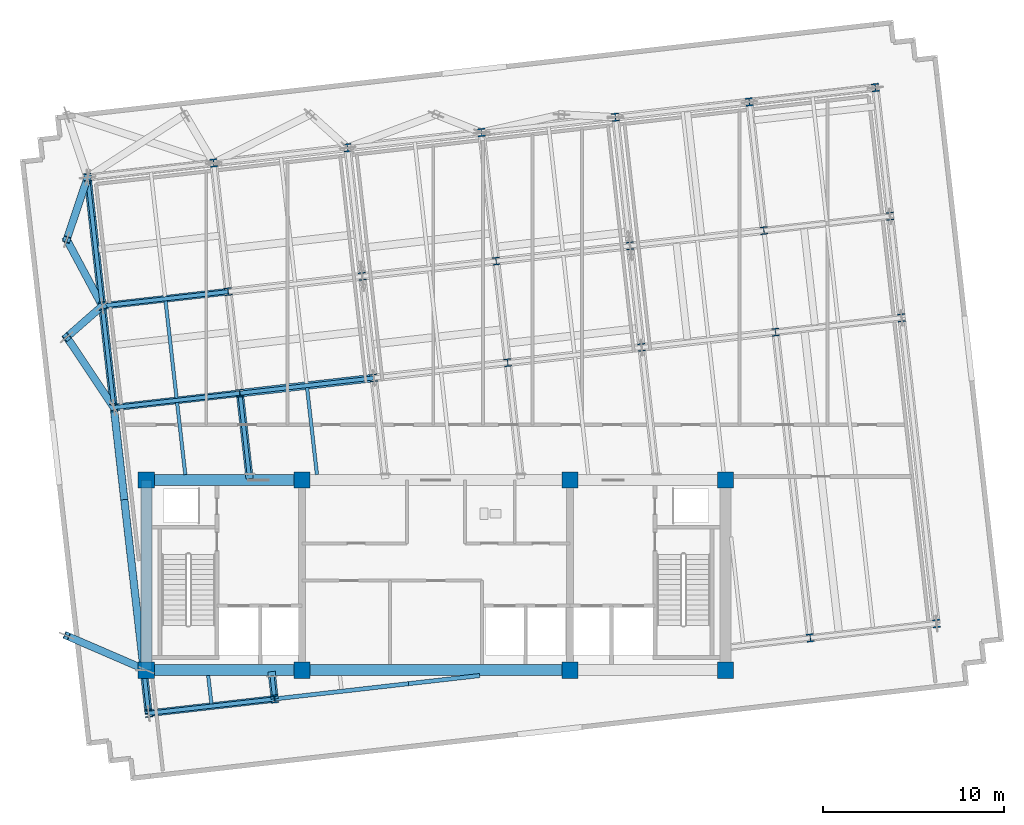
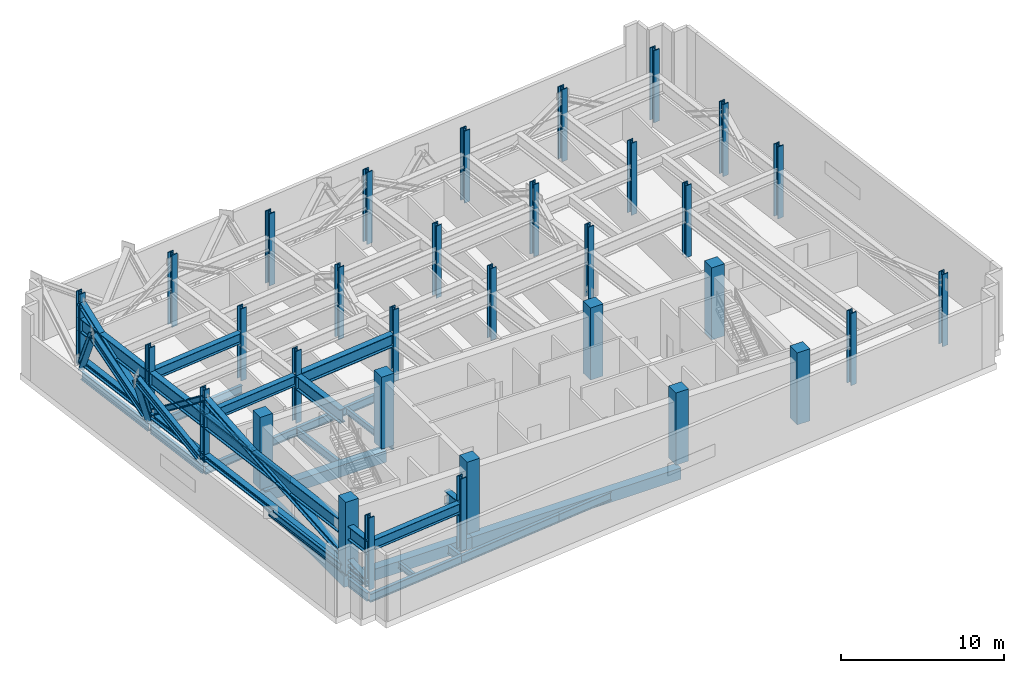
# One storey, part 1 of 10: 33 columns, 28 beams, 11 members.
"""IFC4 building model written with IfcOpenShell, lengths in metres."""

from ifc_helpers import new_model, si_unit, direction, frame, origin, origin_2d, place, context, subcontext, project, spatial, rectangle, i_section, extrude, material, material_profile, profile_set, type_object, element, save


model = new_model("IFC4")

# Units and contexts
model_context = context("Model", 3, precision=1e-05, world=origin(), true_north=direction((0.0, 1.0)))
body_context = subcontext(model_context, "Body", "Model", "MODEL_VIEW")
ifc_project = project(units=[si_unit("LENGTHUNIT", "METRE"), si_unit("AREAUNIT", "SQUARE_METRE"), si_unit("VOLUMEUNIT", "CUBIC_METRE"), si_unit("PLANEANGLEUNIT", "RADIAN"), si_unit("MASSUNIT", "GRAM", prefix="KILO")], contexts=[model_context])

# Site, building, storey
site_placement = place(None, origin())
site = spatial("IfcSite", under=ifc_project, at=site_placement, CompositionType="ELEMENT")
building_placement = place(site_placement, origin())
building = spatial("IfcBuilding", under=site, at=building_placement, Name="Solmavex Isthmus Hotel", CompositionType="ELEMENT")
storey_placement = place(building_placement, frame((0.0, 0.0, 240.0)))
storey = spatial("IfcBuildingStorey", under=building, at=storey_placement, Name="L65", CompositionType="ELEMENT", Elevation=240.0)

# Columns
ifc_material_1 = material(Name="Concrete C50/60", Category="concrete")
ifc_material_profile_1 = material_profile(ifc_material_1, rectangle(XDim=0.89990234375, YDim=0.89990234375, at=origin_2d()), Name="RC900X900")
ifc_profile_set_1 = profile_set([ifc_material_profile_1], Name="Concrete C50/60")
column_type_1 = type_object("IfcColumnType", Name="COL-CC-900", PredefinedType="COLUMN", material=ifc_profile_set_1)
for number, where, z_axis, x_axis, name in (
    (1, (-16.0, -13.0, 0.0), (0.0, 0.0, 1.0), (1.0, 0.0, 0.0), "Core Pilaster CC-SW L65"),
    (2, (-7.39990234375, -13.0, 0.0), (0.0, 0.0, 1.0), (1.0, 0.0, 0.0), "Core Pilaster CC-S1 L65"),
    (3, (7.39990234375, -13.0, 0.0), (0.0, 0.0, 1.0), (1.0, 0.0, 0.0), "Core Pilaster CC-S2 L65"),
    (4, (16.0, -13.0, 0.0), (0.0, 0.0, 1.0), (1.0, 0.0, 0.0), "Core Pilaster CC-SE L65"),
    (5, (-16.0, -2.5, 0.0), (0.0, 0.0, 1.0), (1.0, 0.0, 0.0), "Core Pilaster CC-NW L65"),
    (6, (-7.39990234375, -2.5, 0.0), (0.0, 0.0, 1.0), (1.0, 0.0, 0.0), "Core Pilaster CC-N1 L65"),
    (7, (7.39990234375, -2.5, 0.0), (0.0, 0.0, 1.0), (1.0, 0.0, 0.0), "Core Pilaster CC-N2 L65"),
    (8, (16.0, -2.5, 0.0), (0.0, 0.0, 1.0), (1.0, 0.0, 0.0), "Core Pilaster CC-NE L65"),
):
    element("IfcColumn", number, at=place(storey_placement, frame(where, z_axis=z_axis, x_axis=x_axis)), inside=storey, type_object=column_type_1, Name=name, PredefinedType="COLUMN", context=body_context, shape_type="SweptSolid", body=[
        extrude(rectangle(XDim=0.89990234375, YDim=0.89990234375, at=origin_2d()), origin(), (0.0, 0.0, 1.0), 5.39990234375),
    ])
ifc_material_2 = material(Name="Steel ASTM A913 Grade 65", Category="steel")
ifc_material_profile_2 = material_profile(ifc_material_2, i_section(OverallWidth=0.412109375, OverallDepth=0.434814453125, WebThickness=0.035888671875, FlangeThickness=0.057373046875, FilletRadius=0.030517578125, at=origin_2d()), Name="W14X311")
ifc_profile_set_2 = profile_set([ifc_material_profile_2], Name="Steel ASTM A913 Grade 65")
column_type_2 = type_object("IfcColumnType", Name="COL-SC-W14X311", PredefinedType="COLUMN", material=ifc_profile_set_2)
for number, where, z_axis, x_axis, name in (
    (9, (-10.833984375, 2.30078125, 0.0), (0.0, 0.0, 1.0), (0.993571855677, 0.113203213768, 0.0), "Tower Column B4-U2V2 L65"),
    (10, (-11.473388671875, 7.912353515625, 0.0), (0.0, 0.0, 1.0), (0.993571855677, 0.113203213768, 0.0), "Tower Column B4-U2V3 L65"),
    (11, (-3.435791015625, 3.1435546875, 0.0), (0.0, 0.0, 1.0), (0.993571855677, 0.113203213768, 0.0), "Tower Column B4-U3V2 L65"),
    (12, (-4.0751953125, 8.75537109375, 0.0), (0.0, 0.0, 1.0), (0.993571855677, 0.113203213768, 0.0), "Tower Column B4-U3V3 L65"),
    (13, (3.962158203125, 3.986572265625, 0.0), (0.0, 0.0, 1.0), (0.993571855677, 0.113203213768, 0.0), "Tower Column B4-U4V2 L65"),
    (14, (3.322998046875, 9.59814453125, 0.0), (0.0, 0.0, 1.0), (0.993571855677, 0.113203213768, 0.0), "Tower Column B4-U4V3 L65"),
    (15, (11.3603515625, 4.829345703125, 0.0), (0.0, 0.0, 1.0), (0.993571855677, 0.113203213768, 0.0), "Tower Column B4-U5V2 L65"),
    (16, (10.720947265625, 10.441162109375, 0.0), (0.0, 0.0, 1.0), (0.993571855677, 0.113203213768, 0.0), "Tower Column B4-U5V3 L65"),
    (17, (18.758544921875, 5.67236328125, 0.0), (0.0, 0.0, 1.0), (0.993571855677, 0.113203213768, 0.0), "Tower Column B4-U6V2 L65"),
    (18, (18.119140625, 11.283935546875, 0.0), (0.0, 0.0, 1.0), (0.993571855677, 0.113203213768, 0.0), "Tower Column B4-U6V3 L65"),
):
    element("IfcColumn", number, at=place(storey_placement, frame(where, z_axis=z_axis, x_axis=x_axis)), inside=storey, type_object=column_type_2, Name=name, PredefinedType="COLUMN", context=body_context, shape_type="SweptSolid", body=[
        extrude(i_section(OverallWidth=0.412109375, OverallDepth=0.434814453125, WebThickness=0.035888671875, FlangeThickness=0.057373046875, FilletRadius=0.030517578125, at=origin_2d()), origin(), (0.0, 0.0, 1.0), 5.39990234375),
    ])
ifc_material_profile_3 = material_profile(ifc_material_2, i_section(OverallWidth=0.41845703125, OverallDepth=0.455078125, WebThickness=0.0419921875, FlangeThickness=0.067626953125, FilletRadius=0.030517578125, at=origin_2d()), Name="W14X370")
ifc_profile_set_3 = profile_set([ifc_material_profile_3], Name="Steel ASTM A913 Grade 65")
column_type_3 = type_object("IfcColumnType", Name="COL-SC-W14X370", PredefinedType="COLUMN", material=ifc_profile_set_3)
for number, where, z_axis, x_axis, name in (
    (19, (-15.87255859375, -15.38330078125, 0.0), (0.0, 0.0, 1.0), (0.993571855677, 0.113203213768, 0.0), "Tower Column B4-U1V1 L65"),
    (20, (-17.796875, 1.50732421875, 0.0), (0.0, 0.0, 1.0), (0.993571855677, 0.113203213768, 0.0), "Tower Column B4-U1V2 L65"),
    (21, (-18.436279296875, 7.119140625, 0.0), (0.0, 0.0, 1.0), (0.993571855677, 0.113203213768, 0.0), "Tower Column B4-U1V3 L65"),
    (22, (-19.245849609375, 14.22509765625, 0.0), (0.0, 0.0, 1.0), (0.993571855677, 0.113203213768, 0.0), "Tower Column B4-U1V4 L65"),
    (23, (-8.909423828125, -14.590087890625, 0.0), (0.0, 0.0, 1.0), (0.993571855677, 0.113203213768, 0.0), "Tower Column B4-U2V1 L65"),
    (24, (-12.282958984375, 15.018310546875, 0.0), (0.0, 0.0, 1.0), (0.993571855677, 0.113203213768, 0.0), "Tower Column B4-U2V4 L65"),
    (25, (-4.884765625, 15.861328125, 0.0), (0.0, 0.0, 1.0), (0.993571855677, 0.113203213768, 0.0), "Tower Column B4-U3V4 L65"),
    (26, (2.51318359375, 16.7041015625, 0.0), (0.0, 0.0, 1.0), (0.993571855677, 0.113203213768, 0.0), "Tower Column B4-U4V4 L65"),
    (27, (9.911376953125, 17.547119140625, 0.0), (0.0, 0.0, 1.0), (0.993571855677, 0.113203213768, 0.0), "Tower Column B4-U5V4 L65"),
    (28, (20.68310546875, -11.218505859375, 0.0), (0.0, 0.0, 1.0), (0.993571855677, 0.113203213768, 0.0), "Tower Column B4-U6V1 L65"),
    (29, (17.3095703125, 18.39013671875, 0.0), (0.0, 0.0, 1.0), (0.993571855677, 0.113203213768, 0.0), "Tower Column B4-U6V4 L65"),
    (30, (27.64599609375, -10.425048828125, 0.0), (0.0, 0.0, 1.0), (0.993571855677, 0.113203213768, 0.0), "Tower Column B4-U7V1 L65"),
    (31, (25.721435546875, 6.465576171875, 0.0), (0.0, 0.0, 1.0), (0.993571855677, 0.113203213768, 0.0), "Tower Column B4-U7V2 L65"),
    (32, (25.08203125, 12.077392578125, 0.0), (0.0, 0.0, 1.0), (0.993571855677, 0.113203213768, 0.0), "Tower Column B4-U7V3 L65"),
    (33, (24.2724609375, 19.183349609375, 0.0), (0.0, 0.0, 1.0), (0.993571855677, 0.113203213768, 0.0), "Tower Column B4-U7V4 L65"),
):
    element("IfcColumn", number, at=place(storey_placement, frame(where, z_axis=z_axis, x_axis=x_axis)), inside=storey, type_object=column_type_3, Name=name, PredefinedType="COLUMN", context=body_context, shape_type="SweptSolid", body=[
        extrude(i_section(OverallWidth=0.41845703125, OverallDepth=0.455078125, WebThickness=0.0419921875, FlangeThickness=0.067626953125, FilletRadius=0.030517578125, at=origin_2d()), origin(), (0.0, 0.0, 1.0), 5.39990234375),
    ])

# Beams
ifc_material_3 = material(Name="Steel ASTM A992 Grade 50", Category="steel")
ifc_material_profile_4 = material_profile(ifc_material_3, i_section(OverallWidth=0.380615234375, OverallDepth=0.773193359375, WebThickness=0.0166015625, FlangeThickness=0.027099609375, FilletRadius=0.01904296875, at=origin_2d()), Name="W30X173")
ifc_profile_set_4 = profile_set([ifc_material_profile_4], Name="Steel ASTM A992 Grade 50")
beam_type_1 = type_object("IfcBeamType", Name="BM-BG-W30X173", PredefinedType="BEAM", material=ifc_profile_set_4)
for number, where, z_axis, x_axis, name in (
    (34, (-15.718505859375, -15.36572265625, 3.183349609375), (0.993575015096, 0.11317548046, 0.0), (-0.11317548046, 0.993575015096, 0.0), "Floor Framing Cross Girder L65-XLC22"),
    (35, (-17.64306640625, 1.52490234375, 3.183349609375), (0.993570915784, 0.113211462798, 0.0), (-0.113211462798, 0.993570915784, 0.0), "Floor Framing Cross Girder L65-XLC25"),
):
    element("IfcBeam", number, at=place(storey_placement, frame(where, z_axis=z_axis, x_axis=x_axis)), inside=storey, type_object=beam_type_1, Name=name, PredefinedType="BEAM", context=body_context, shape_type="SweptSolid", body=[
        extrude(i_section(OverallWidth=0.380615234375, OverallDepth=0.773193359375, WebThickness=0.0166015625, FlangeThickness=0.027099609375, FilletRadius=0.01904296875, at=origin_2d()), origin(), (0.0, 0.0, 1.0), 6.697998046875),
    ])
beam_1_placement = place(storey_placement, frame((-18.2822265625, 7.136474609375, 3.183349609375), z_axis=(0.993570448594, 0.113215562893, 0.0), x_axis=(-0.113215562893, 0.993570448594, 0.0)))
element("IfcBeam", 36, at=beam_1_placement, inside=storey, type_object=beam_type_1, Name="Floor Framing Cross Girder L65-XLC31", PredefinedType="BEAM", context=body_context, shape_type="SweptSolid", body=[
    extrude(i_section(OverallWidth=0.380615234375, OverallDepth=0.773193359375, WebThickness=0.0166015625, FlangeThickness=0.027099609375, FilletRadius=0.01904296875, at=origin_2d()), origin(), (0.0, 0.0, 1.0), 6.69775390625),
])
ifc_material_profile_5 = material_profile(ifc_material_3, i_section(OverallWidth=0.1904296875, OverallDepth=0.456787109375, WebThickness=0.009033203125, FlangeThickness=0.014404296875, FilletRadius=0.0126953125, at=origin_2d()), Name="W18X50")
ifc_profile_set_5 = profile_set([ifc_material_profile_5], Name="Steel ASTM A992 Grade 50")
beam_type_2 = type_object("IfcBeamType", Name="BM-BJ-W18X50", PredefinedType="JOIST", material=ifc_profile_set_5)
beam_2_placement = place(storey_placement, frame((-12.404052734375, -14.872314453125, -0.678466796875), z_axis=(-0.113242002738, 0.993567435465, 0.0), x_axis=(-0.993567435465, -0.113242002738, 0.0)))
element("IfcBeam", 37, at=beam_2_placement, inside=storey, type_object=beam_type_2, Name="Secondary Floor Joist L65-J01", PredefinedType="JOIST", context=body_context, shape_type="SweptSolid", body=[
    extrude(i_section(OverallWidth=0.1904296875, OverallDepth=0.456787109375, WebThickness=0.009033203125, FlangeThickness=0.014404296875, FilletRadius=0.0126953125, at=origin_2d()), origin(), (0.0, 0.0, 1.0), 1.58251953125),
])
beam_3_placement = place(storey_placement, frame((-13.847900390625, -2.199951171875, -0.678466796875), z_axis=(-0.113179724577, 0.993574531651, 0.0), x_axis=(-0.993574531651, -0.113179724577, 0.0)))
element("IfcBeam", 38, at=beam_3_placement, inside=storey, type_object=beam_type_2, Name="Secondary Floor Joist L65-J02", PredefinedType="JOIST", context=body_context, shape_type="SweptSolid", body=[
    extrude(i_section(OverallWidth=0.1904296875, OverallDepth=0.456787109375, WebThickness=0.009033203125, FlangeThickness=0.014404296875, FilletRadius=0.0126953125, at=origin_2d()), origin(), (0.0, 0.0, 1.0), 4.0166015625),
])
beam_4_placement = place(storey_placement, frame((-14.328369140625, 2.01708984375, -0.678466796875), z_axis=(-0.113189626161, 0.993573403695, 0.0), x_axis=(-0.993573403695, -0.113189626161, 0.0)))
element("IfcBeam", 39, at=beam_4_placement, inside=storey, type_object=beam_type_2, Name="Secondary Floor Joist L65-J03", PredefinedType="JOIST", context=body_context, shape_type="SweptSolid", body=[
    extrude(i_section(OverallWidth=0.1904296875, OverallDepth=0.456787109375, WebThickness=0.009033203125, FlangeThickness=0.014404296875, FilletRadius=0.0126953125, at=origin_2d()), origin(), (0.0, 0.0, 1.0), 5.42041015625),
])
beam_5_placement = place(storey_placement, frame((-6.57421875, -2.199951171875, -0.678466796875), z_axis=(-0.113193768539, 0.993572931779, 0.0), x_axis=(-0.993572931779, -0.113193768539, 0.0)))
element("IfcBeam", 40, at=beam_5_placement, inside=storey, type_object=beam_type_2, Name="Secondary Floor Joist L65-J06", PredefinedType="JOIST", context=body_context, shape_type="SweptSolid", body=[
    extrude(i_section(OverallWidth=0.1904296875, OverallDepth=0.456787109375, WebThickness=0.009033203125, FlangeThickness=0.014404296875, FilletRadius=0.0126953125, at=origin_2d()), origin(), (0.0, 0.0, 1.0), 4.83984375),
])
ifc_material_profile_6 = material_profile(ifc_material_3, i_section(OverallWidth=0.227783203125, OverallDepth=0.602783203125, WebThickness=0.010498046875, FlangeThickness=0.014892578125, FilletRadius=0.01513671875, at=origin_2d()), Name="W24X68")
ifc_profile_set_6 = profile_set([ifc_material_profile_6], Name="Steel ASTM A992 Grade 50")
beam_type_3 = type_object("IfcBeamType", Name="BM-BM-W24X68", PredefinedType="BEAM", material=ifc_profile_set_6)
beam_6_placement = place(storey_placement, frame((-17.796875, 1.50732421875, -0.75146484375), z_axis=(0.993569675103, 0.113222350774, 0.0), x_axis=(-0.113222350774, 0.993569675103, 0.0)))
element("IfcBeam", 41, at=beam_6_placement, inside=storey, type_object=beam_type_3, Name="Floor Girder L65-UG06", PredefinedType="BEAM", context=body_context, shape_type="SweptSolid", body=[
    extrude(i_section(OverallWidth=0.227783203125, OverallDepth=0.602783203125, WebThickness=0.010498046875, FlangeThickness=0.014892578125, FilletRadius=0.01513671875, at=origin_2d()), origin(), (0.0, 0.0, 1.0), 7.008056640625),
])
beam_7_placement = place(storey_placement, frame((-10.833984375, 2.30078125, -0.75146484375), z_axis=(0.993574034044, 0.113184092846, 0.0), x_axis=(-0.113184092846, 0.993574034044, 0.0)))
element("IfcBeam", 42, at=beam_7_placement, inside=storey, type_object=beam_type_3, Name="Floor Girder L65-UG07", PredefinedType="BEAM", context=body_context, shape_type="SweptSolid", body=[
    extrude(i_section(OverallWidth=0.227783203125, OverallDepth=0.602783203125, WebThickness=0.010498046875, FlangeThickness=0.014892578125, FilletRadius=0.01513671875, at=origin_2d()), origin(), (0.0, 0.0, 1.0), 7.446044921875),
])
beam_8_placement = place(storey_placement, frame((-18.436279296875, 7.119140625, -0.75146484375), z_axis=(0.99357359356, 0.113187959519, 0.0), x_axis=(-0.113187959519, 0.99357359356, 0.0)))
element("IfcBeam", 43, at=beam_8_placement, inside=storey, type_object=beam_type_3, Name="Floor Girder L65-UG12", PredefinedType="BEAM", context=body_context, shape_type="SweptSolid", body=[
    extrude(i_section(OverallWidth=0.227783203125, OverallDepth=0.602783203125, WebThickness=0.010498046875, FlangeThickness=0.014892578125, FilletRadius=0.01513671875, at=origin_2d()), origin(), (0.0, 0.0, 1.0), 7.0078125),
])
beam_9_placement = place(storey_placement, frame((-8.922607421875, -14.4755859375, -0.75146484375), z_axis=(-0.113284703976, 0.993562567655, 0.0), x_axis=(-0.993562567655, -0.113284703976, 0.0)))
element("IfcBeam", 44, at=beam_9_placement, inside=storey, type_object=beam_type_3, Name="Floor Beam L65-VG27", PredefinedType="BEAM", context=body_context, shape_type="SweptSolid", body=[
    extrude(i_section(OverallWidth=0.227783203125, OverallDepth=0.602783203125, WebThickness=0.010498046875, FlangeThickness=0.014892578125, FilletRadius=0.01513671875, at=origin_2d()), origin(), (0.0, 0.0, 1.0), 1.18310546875),
])
beam_10_placement = place(storey_placement, frame((-10.3212890625, -2.199951171875, -0.75146484375), z_axis=(-0.113173914695, 0.993575193447, 0.0), x_axis=(-0.993575193447, -0.113173914695, 0.0)))
element("IfcBeam", 45, at=beam_10_placement, inside=storey, type_object=beam_type_3, Name="Floor Beam L65-VG28", PredefinedType="BEAM", context=body_context, shape_type="SweptSolid", body=[
    extrude(i_section(OverallWidth=0.227783203125, OverallDepth=0.602783203125, WebThickness=0.010498046875, FlangeThickness=0.014892578125, FilletRadius=0.01513671875, at=origin_2d()), origin(), (0.0, 0.0, 1.0), 4.415771484375),
])
ifc_material_profile_7 = material_profile(ifc_material_1, rectangle(XDim=0.60009765625, YDim=0.85009765625, at=origin_2d()), Name="RC600X850")
ifc_profile_set_7 = profile_set([ifc_material_profile_7], Name="Concrete C50/60")
beam_type_4 = type_object("IfcBeamType", Name="BM-CB-600X850", PredefinedType="BEAM", material=ifc_profile_set_7)
beam_11_placement = place(storey_placement, frame((-16.0, -13.0, -0.875), z_axis=(1.0, 0.0, 0.0), x_axis=(0.0, 1.0, 0.0)))
element("IfcBeam", 46, at=beam_11_placement, inside=storey, type_object=beam_type_4, Name="Core Coupling Beam L65-CB1", PredefinedType="BEAM", context=body_context, shape_type="SweptSolid", body=[
    extrude(rectangle(XDim=0.60009765625, YDim=0.85009765625, at=origin_2d()), origin(), (0.0, 0.0, 1.0), 8.60009765625),
])
beam_12_placement = place(storey_placement, frame((-7.39990234375, -13.0, -0.875), z_axis=(1.0, 0.0, 0.0), x_axis=(0.0, 1.0, 0.0)))
element("IfcBeam", 47, at=beam_12_placement, inside=storey, type_object=beam_type_4, Name="Core Coupling Beam L65-CB2", PredefinedType="BEAM", context=body_context, shape_type="SweptSolid", body=[
    extrude(rectangle(XDim=0.60009765625, YDim=0.85009765625, at=origin_2d()), origin(), (0.0, 0.0, 1.0), 14.7998046875),
])
beam_13_placement = place(storey_placement, frame((-16.0, -2.5, -0.764892578125), z_axis=(1.0, 0.0, 0.0), x_axis=(0.0, 1.0, 0.0)))
element("IfcBeam", 48, at=beam_13_placement, inside=storey, type_object=beam_type_4, Name="Core Coupling Beam L65-CB4", PredefinedType="BEAM", context=body_context, shape_type="SweptSolid", body=[
    extrude(rectangle(XDim=0.60009765625, YDim=0.85009765625, at=origin_2d()), origin(), (0.0, 0.0, 1.0), 8.60009765625),
])
beam_14_placement = place(storey_placement, frame((-16.0, -13.0, -0.875), z_axis=(0.0, 1.0, 0.0), x_axis=(-1.0, 0.0, 0.0)))
element("IfcBeam", 49, at=beam_14_placement, inside=storey, type_object=beam_type_4, Name="Core Coupling Beam L65-CB7", PredefinedType="BEAM", context=body_context, shape_type="SweptSolid", body=[
    extrude(rectangle(XDim=0.60009765625, YDim=0.85009765625, at=origin_2d()), origin(), (0.0, 0.0, 1.0), 10.5),
])
ifc_material_profile_8 = material_profile(ifc_material_3, i_section(OverallWidth=0.230224609375, OverallDepth=0.617431640625, WebThickness=0.01318359375, FlangeThickness=0.022216796875, FilletRadius=0.01513671875, at=origin_2d()), Name="W24X94")
ifc_profile_set_8 = profile_set([ifc_material_profile_8], Name="Steel ASTM A992 Grade 50")
beam_type_5 = type_object("IfcBeamType", Name="BM-SP-W24X94", PredefinedType="SPANDREL", material=ifc_profile_set_8)
beam_15_placement = place(storey_placement, frame((-15.87255859375, -15.38330078125, -0.7587890625), z_axis=(0.993574039862, 0.113184041777, 0.0), x_axis=(-0.113184041777, 0.993574039862, 0.0)))
element("IfcBeam", 50, at=beam_15_placement, inside=storey, type_object=beam_type_5, Name="Floor Girder L65-UG01", PredefinedType="SPANDREL", context=body_context, shape_type="SweptSolid", body=[
    extrude(i_section(OverallWidth=0.230224609375, OverallDepth=0.617431640625, WebThickness=0.01318359375, FlangeThickness=0.022216796875, FilletRadius=0.01513671875, at=origin_2d()), origin(), (0.0, 0.0, 1.0), 7.008056640625),
])
beam_16_placement = place(storey_placement, frame((-8.909423828125, -14.590087890625, -0.7587890625), z_axis=(0.993569926006, 0.113220148984, 0.0), x_axis=(-0.113220148984, 0.993569926006, 0.0)))
element("IfcBeam", 51, at=beam_16_placement, inside=storey, type_object=beam_type_5, Name="Floor Girder L65-UG02", PredefinedType="SPANDREL", context=body_context, shape_type="SweptSolid", body=[
    extrude(i_section(OverallWidth=0.230224609375, OverallDepth=0.617431640625, WebThickness=0.01318359375, FlangeThickness=0.022216796875, FilletRadius=0.01513671875, at=origin_2d()), origin(), (0.0, 0.0, 1.0), 7.44580078125),
])
beam_17_placement = place(storey_placement, frame((-1.511474609375, -13.7470703125, -0.7587890625), z_axis=(0.993575434773, 0.113171796023, 0.0), x_axis=(-0.113171796023, 0.993575434773, 0.0)))
element("IfcBeam", 52, at=beam_17_placement, inside=storey, type_object=beam_type_5, Name="Floor Girder L65-UG03", PredefinedType="SPANDREL", context=body_context, shape_type="SweptSolid", body=[
    extrude(i_section(OverallWidth=0.230224609375, OverallDepth=0.617431640625, WebThickness=0.01318359375, FlangeThickness=0.022216796875, FilletRadius=0.01513671875, at=origin_2d()), origin(), (0.0, 0.0, 1.0), 3.949951171875),
])
beam_18_placement = place(storey_placement, frame((-15.885498046875, -15.268798828125, -0.7587890625), z_axis=(-0.113230368519, 0.993568761408, 0.0), x_axis=(-0.993568761408, -0.113230368519, 0.0)))
element("IfcBeam", 53, at=beam_18_placement, inside=storey, type_object=beam_type_5, Name="Floor Beam L65-VG24", PredefinedType="SPANDREL", context=body_context, shape_type="SweptSolid", body=[
    extrude(i_section(OverallWidth=0.230224609375, OverallDepth=0.617431640625, WebThickness=0.01318359375, FlangeThickness=0.022216796875, FilletRadius=0.01513671875, at=origin_2d()), origin(), (0.0, 0.0, 1.0), 1.9814453125),
])
beam_19_placement = place(storey_placement, frame((-17.809814453125, 1.62060546875, -0.7587890625), z_axis=(-0.113194691868, 0.993572826587, 0.0), x_axis=(-0.993572826587, -0.113194691868, 0.0)))
element("IfcBeam", 54, at=beam_19_placement, inside=storey, type_object=beam_type_5, Name="Floor Beam L65-VG25", PredefinedType="SPANDREL", context=body_context, shape_type="SweptSolid", body=[
    extrude(i_section(OverallWidth=0.230224609375, OverallDepth=0.617431640625, WebThickness=0.01318359375, FlangeThickness=0.022216796875, FilletRadius=0.01513671875, at=origin_2d()), origin(), (0.0, 0.0, 1.0), 5.420166015625),
])
beam_20_placement = place(storey_placement, frame((-18.44921875, 7.232177734375, -0.7587890625), z_axis=(-0.113202453846, 0.993571942258, 0.0), x_axis=(-0.993571942258, -0.113202453846, 0.0)))
element("IfcBeam", 55, at=beam_20_placement, inside=storey, type_object=beam_type_5, Name="Floor Beam L65-VG26", PredefinedType="SPANDREL", context=body_context, shape_type="SweptSolid", body=[
    extrude(i_section(OverallWidth=0.230224609375, OverallDepth=0.617431640625, WebThickness=0.01318359375, FlangeThickness=0.022216796875, FilletRadius=0.01513671875, at=origin_2d()), origin(), (0.0, 0.0, 1.0), 6.9228515625),
])
ifc_material_profile_9 = material_profile(ifc_material_2, i_section(OverallWidth=0.423095703125, OverallDepth=0.93896484375, WebThickness=0.02392578125, FlangeThickness=0.042724609375, FilletRadius=0.024169921875, at=origin_2d()), Name="W36X302")
ifc_profile_set_9 = profile_set([ifc_material_profile_9], Name="Steel ASTM A913 Grade 65")
beam_type_6 = type_object("IfcBeamType", Name="BM-TB-W36X302", PredefinedType="BEAM", material=ifc_profile_set_9)
beam_21_placement = place(storey_placement, frame((-10.679931640625, 2.318115234375, 3.1005859375), z_axis=(0.993571101431, 0.113209833499, 0.0), x_axis=(-0.113209833499, 0.993571101431, 0.0)))
element("IfcBeam", 56, at=beam_21_placement, inside=storey, type_object=beam_type_6, Name="Horizontal Outrigger Collector Girder L65-XLC26", PredefinedType="BEAM", context=body_context, shape_type="SweptSolid", body=[
    extrude(i_section(OverallWidth=0.423095703125, OverallDepth=0.93896484375, WebThickness=0.02392578125, FlangeThickness=0.042724609375, FilletRadius=0.024169921875, at=origin_2d()), origin(), (0.0, 0.0, 1.0), 7.135986328125),
])
ifc_material_profile_10 = material_profile(ifc_material_2, i_section(OverallWidth=0.409423828125, OverallDepth=1.036376953125, WebThickness=0.031005859375, FlangeThickness=0.055908203125, FilletRadius=0.030517578125, at=origin_2d()), Name="W40X397")
ifc_profile_set_10 = profile_set([ifc_material_profile_10], Name="Steel ASTM A913 Grade 65")
beam_type_7 = type_object("IfcBeamType", Name="BM-TB-W40X397B", PredefinedType="BEAM", material=ifc_profile_set_10)
beam_22_placement = place(storey_placement, frame((-15.87255859375, -15.38330078125, 3.0517578125), z_axis=(-0.11319582564, 0.99357269742, 0.0), x_axis=(-0.99357269742, -0.11319582564, 0.0)))
element("IfcBeam", 57, at=beam_22_placement, inside=storey, type_object=beam_type_7, Name="Horizontal Transfer Carrier Girder L65-XLC01", PredefinedType="BEAM", context=body_context, shape_type="SweptSolid", body=[
    extrude(i_section(OverallWidth=0.409423828125, OverallDepth=1.036376953125, WebThickness=0.031005859375, FlangeThickness=0.055908203125, FilletRadius=0.030517578125, at=origin_2d()), origin(), (0.0, 0.0, 1.0), 17.0),
])
beam_23_placement = place(storey_placement, frame((-17.796875, 1.50732421875, 3.0517578125), z_axis=(-0.113206461365, 0.993571485654, 0.0), x_axis=(-0.993571485654, -0.113206461365, 0.0)))
element("IfcBeam", 58, at=beam_23_placement, inside=storey, type_object=beam_type_7, Name="Horizontal Transfer Carrier Girder L65-XLC02", PredefinedType="BEAM", context=body_context, shape_type="SweptSolid", body=[
    extrude(i_section(OverallWidth=0.409423828125, OverallDepth=1.036376953125, WebThickness=0.031005859375, FlangeThickness=0.055908203125, FilletRadius=0.030517578125, at=origin_2d()), origin(), (0.0, 0.0, 1.0), 5.648193359375),
])
beam_24_placement = place(storey_placement, frame((-18.436279296875, 7.119140625, 3.0517578125), z_axis=(-0.113196143224, 0.993572661238, 0.0), x_axis=(-0.993572661238, -0.113196143224, 0.0)))
element("IfcBeam", 59, at=beam_24_placement, inside=storey, type_object=beam_type_7, Name="Horizontal Transfer Carrier Girder L65-XLC03", PredefinedType="BEAM", context=body_context, shape_type="SweptSolid", body=[
    extrude(i_section(OverallWidth=0.409423828125, OverallDepth=1.036376953125, WebThickness=0.031005859375, FlangeThickness=0.055908203125, FilletRadius=0.030517578125, at=origin_2d()), origin(), (0.0, 0.0, 1.0), 7.15185546875),
])
beam_25_placement = place(storey_placement, frame((-8.909423828125, -14.590087890625, 3.0517578125), z_axis=(-0.113252098743, 0.993566284719, 0.0), x_axis=(-0.993566284719, -0.113252098743, 0.0)))
element("IfcBeam", 60, at=beam_25_placement, inside=storey, type_object=beam_type_7, Name="Horizontal Transfer Carrier Girder L65-XLC04", PredefinedType="BEAM", context=body_context, shape_type="SweptSolid", body=[
    extrude(i_section(OverallWidth=0.409423828125, OverallDepth=1.036376953125, WebThickness=0.031005859375, FlangeThickness=0.055908203125, FilletRadius=0.030517578125, at=origin_2d()), origin(), (0.0, 0.0, 1.0), 1.519775390625),
])
beam_26_placement = place(storey_placement, frame((-10.296142578125, -2.419921875, 3.0517578125), z_axis=(-0.113200224879, 0.993572196213, 0.0), x_axis=(-0.993572196213, -0.113200224879, 0.0)))
element("IfcBeam", 61, at=beam_26_placement, inside=storey, type_object=beam_type_7, Name="Horizontal Transfer Carrier Girder L65-XLC05", PredefinedType="BEAM", context=body_context, shape_type="SweptSolid", body=[
    extrude(i_section(OverallWidth=0.409423828125, OverallDepth=1.036376953125, WebThickness=0.031005859375, FlangeThickness=0.055908203125, FilletRadius=0.030517578125, at=origin_2d()), origin(), (0.0, 0.0, 1.0), 4.751220703125),
])

# Members
ifc_material_profile_11 = material_profile(ifc_material_2, i_section(OverallWidth=0.412109375, OverallDepth=0.434814453125, WebThickness=0.035888671875, FlangeThickness=0.057373046875, FilletRadius=0.030517578125, at=origin_2d()), Name="W14X311")
ifc_profile_set_11 = profile_set([ifc_material_profile_11], Name="Steel ASTM A913 Grade 65")
member_type_1 = type_object("IfcMemberType", Name="MEM-TC-W14X311", PredefinedType="CHORD", material=ifc_profile_set_11)
member_1_placement = place(storey_placement, frame((-15.87255859375, -15.38330078125, 0.35009765625), z_axis=(-0.11319582564, 0.99357269742, 0.0), x_axis=(-0.99357269742, -0.11319582564, 0.0)))
element("IfcMember", 62, at=member_1_placement, inside=storey, type_object=member_type_1, Name="Outrigger and Belt Transfer Truss Bottom Chord BT-L65-W-07", PredefinedType="CHORD", context=body_context, shape_type="SweptSolid", body=[
    extrude(i_section(OverallWidth=0.412109375, OverallDepth=0.434814453125, WebThickness=0.035888671875, FlangeThickness=0.057373046875, FilletRadius=0.030517578125, at=origin_2d()), origin(), (0.0, 0.0, 1.0), 17.0),
])
member_2_placement = place(storey_placement, frame((-17.796875, 1.50732421875, 0.35009765625), z_axis=(-0.113206461365, 0.993571485654, 0.0), x_axis=(-0.993571485654, -0.113206461365, 0.0)))
element("IfcMember", 63, at=member_2_placement, inside=storey, type_object=member_type_1, Name="Outrigger and Belt Transfer Truss Bottom Chord BT-L65-W-08", PredefinedType="CHORD", context=body_context, shape_type="SweptSolid", body=[
    extrude(i_section(OverallWidth=0.412109375, OverallDepth=0.434814453125, WebThickness=0.035888671875, FlangeThickness=0.057373046875, FilletRadius=0.030517578125, at=origin_2d()), origin(), (0.0, 0.0, 1.0), 5.648193359375),
])
member_3_placement = place(storey_placement, frame((-18.436279296875, 7.119140625, 0.35009765625), z_axis=(-0.113196143224, 0.993572661238, 0.0), x_axis=(-0.993572661238, -0.113196143224, 0.0)))
element("IfcMember", 64, at=member_3_placement, inside=storey, type_object=member_type_1, Name="Outrigger and Belt Transfer Truss Bottom Chord BT-L65-W-09", PredefinedType="CHORD", context=body_context, shape_type="SweptSolid", body=[
    extrude(i_section(OverallWidth=0.412109375, OverallDepth=0.434814453125, WebThickness=0.035888671875, FlangeThickness=0.057373046875, FilletRadius=0.030517578125, at=origin_2d()), origin(), (0.0, 0.0, 1.0), 7.15185546875),
])
ifc_material_profile_12 = material_profile(ifc_material_2, i_section(OverallWidth=0.40625, OverallDepth=0.416015625, WebThickness=0.02978515625, FlangeThickness=0.048095703125, FilletRadius=0.030517578125, at=origin_2d()), Name="W14X257")
ifc_profile_set_12 = profile_set([ifc_material_profile_12], Name="Steel ASTM A913 Grade 65")
member_type_2 = type_object("IfcMemberType", Name="MEM-TM-W14X257", PredefinedType="BRACE", material=ifc_profile_set_12)
member_4_placement = place(storey_placement, frame((-16.0, -13.0, -0.25), z_axis=(-0.641943258165, 0.277194675122, 0.714892974774), x_axis=(-0.396426258231, -0.918066567186, 0.0)))
element("IfcMember", 65, at=member_4_placement, inside=storey, type_object=member_type_2, Name="Perimeter Facade Transfer Bracket L65-FBR01", PredefinedType="BRACE", context=body_context, shape_type="SweptSolid", body=[
    extrude(i_section(OverallWidth=0.40625, OverallDepth=0.416015625, WebThickness=0.02978515625, FlangeThickness=0.048095703125, FilletRadius=0.030517578125, at=origin_2d()), origin(), (0.0, 0.0, 1.0), 6.85400390625),
])
member_5_placement = place(storey_placement, frame((-18.436279296875, 7.119140625, -0.25), z_axis=(-0.353701827246, -0.309681495395, 0.882605454783), x_axis=(0.658736366908, -0.752373842523, 0.0)))
element("IfcMember", 66, at=member_5_placement, inside=storey, type_object=member_type_2, Name="Perimeter Facade Transfer Bracket L65-FBR02", PredefinedType="BRACE", context=body_context, shape_type="SweptSolid", body=[
    extrude(i_section(OverallWidth=0.40625, OverallDepth=0.416015625, WebThickness=0.02978515625, FlangeThickness=0.048095703125, FilletRadius=0.030517578125, at=origin_2d()), origin(), (0.0, 0.0, 1.0), 5.551513671875),
])
member_6_placement = place(storey_placement, frame((-17.796875, 1.50732421875, -0.25), z_axis=(-0.384058702469, 0.574323011833, 0.722946741563), x_axis=(-0.831263401808, -0.555878724917, 0.0)))
element("IfcMember", 67, at=member_6_placement, inside=storey, type_object=member_type_2, Name="Perimeter Facade Transfer Bracket L65-FBR03", PredefinedType="BRACE", context=body_context, shape_type="SweptSolid", body=[
    extrude(i_section(OverallWidth=0.40625, OverallDepth=0.416015625, WebThickness=0.02978515625, FlangeThickness=0.048095703125, FilletRadius=0.030517578125, at=origin_2d()), origin(), (0.0, 0.0, 1.0), 6.777587890625),
])
member_7_placement = place(storey_placement, frame((-19.245849609375, 14.22509765625, -0.25), z_axis=(-0.189331673497, -0.563869536598, 0.803868560841), x_axis=(0.947987432543, -0.318307756331, 0.0)))
element("IfcMember", 68, at=member_7_placement, inside=storey, type_object=member_type_2, Name="Perimeter Facade Transfer Bracket L65-FBR04", PredefinedType="BRACE", context=body_context, shape_type="SweptSolid", body=[
    extrude(i_section(OverallWidth=0.40625, OverallDepth=0.416015625, WebThickness=0.02978515625, FlangeThickness=0.048095703125, FilletRadius=0.030517578125, at=origin_2d()), origin(), (0.0, 0.0, 1.0), 6.095458984375),
])
member_8_placement = place(storey_placement, frame((-18.436279296875, 7.119140625, -0.25), z_axis=(-0.305454367813, 0.570728364975, 0.762211757057), x_axis=(-0.881668289896, -0.471869713577, 0.0)))
element("IfcMember", 69, at=member_8_placement, inside=storey, type_object=member_type_2, Name="Perimeter Facade Transfer Bracket L65-FBR05", PredefinedType="BRACE", context=body_context, shape_type="SweptSolid", body=[
    extrude(i_section(OverallWidth=0.40625, OverallDepth=0.416015625, WebThickness=0.02978515625, FlangeThickness=0.048095703125, FilletRadius=0.030517578125, at=origin_2d()), origin(), (0.0, 0.0, 1.0), 6.428466796875),
])
member_9_placement = place(storey_placement, frame((-15.87255859375, -15.38330078125, 0.35009765625), z_axis=(-0.109739973109, 0.963239063632, 0.245209389291), x_axis=(-0.99357269742, -0.11319582564, 0.0)))
element("IfcMember", 70, at=member_9_placement, inside=storey, type_object=member_type_2, Name="Outrigger and Belt Transfer Truss Diagonal Brace BT-L65-W-07", PredefinedType="BRACE", context=body_context, shape_type="SweptSolid", body=[
    extrude(i_section(OverallWidth=0.40625, OverallDepth=0.416015625, WebThickness=0.02978515625, FlangeThickness=0.048095703125, FilletRadius=0.030517578125, at=origin_2d()), origin(), (0.0, 0.0, 1.0), 17.53515625),
])
member_10_placement = place(storey_placement, frame((-17.796875, 1.50732421875, 4.64990234375), z_axis=(-0.090075133782, 0.790556328799, -0.605728620151), x_axis=(-0.993571485654, -0.113206461365, 0.0)))
element("IfcMember", 71, at=member_10_placement, inside=storey, type_object=member_type_2, Name="Outrigger and Belt Transfer Truss Diagonal Brace BT-L65-W-08", PredefinedType="BRACE", context=body_context, shape_type="SweptSolid", body=[
    extrude(i_section(OverallWidth=0.40625, OverallDepth=0.416015625, WebThickness=0.02978515625, FlangeThickness=0.048095703125, FilletRadius=0.030517578125, at=origin_2d()), origin(), (0.0, 0.0, 1.0), 7.0986328125),
])
member_11_placement = place(storey_placement, frame((-18.436279296875, 7.119140625, 0.35009765625), z_axis=(-0.097013090159, 0.851526840217, 0.51525770322), x_axis=(-0.993572661238, -0.113196143224, 0.0)))
element("IfcMember", 72, at=member_11_placement, inside=storey, type_object=member_type_2, Name="Outrigger and Belt Transfer Truss Diagonal Brace BT-L65-W-09", PredefinedType="BRACE", context=body_context, shape_type="SweptSolid", body=[
    extrude(i_section(OverallWidth=0.40625, OverallDepth=0.416015625, WebThickness=0.02978515625, FlangeThickness=0.048095703125, FilletRadius=0.030517578125, at=origin_2d()), origin(), (0.0, 0.0, 1.0), 8.344970703125),
])

save(model, "model.ifc")
